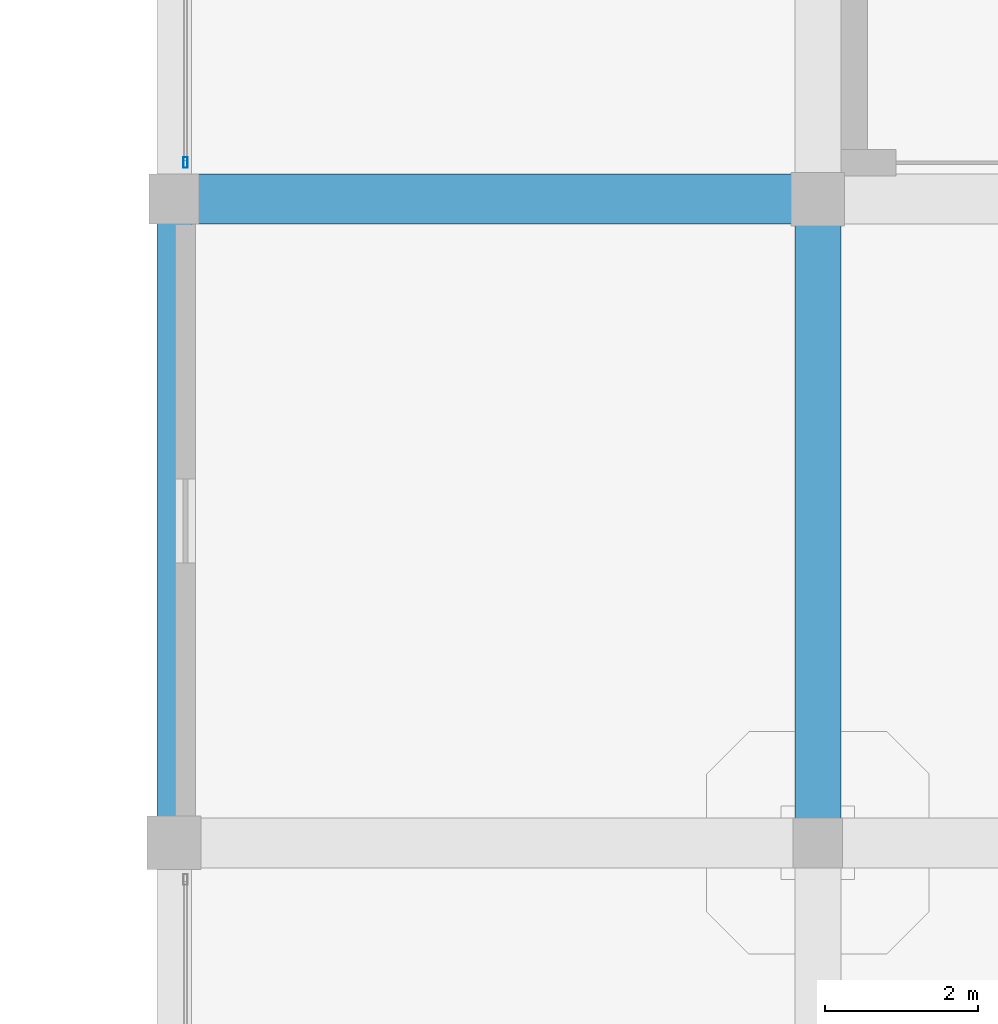
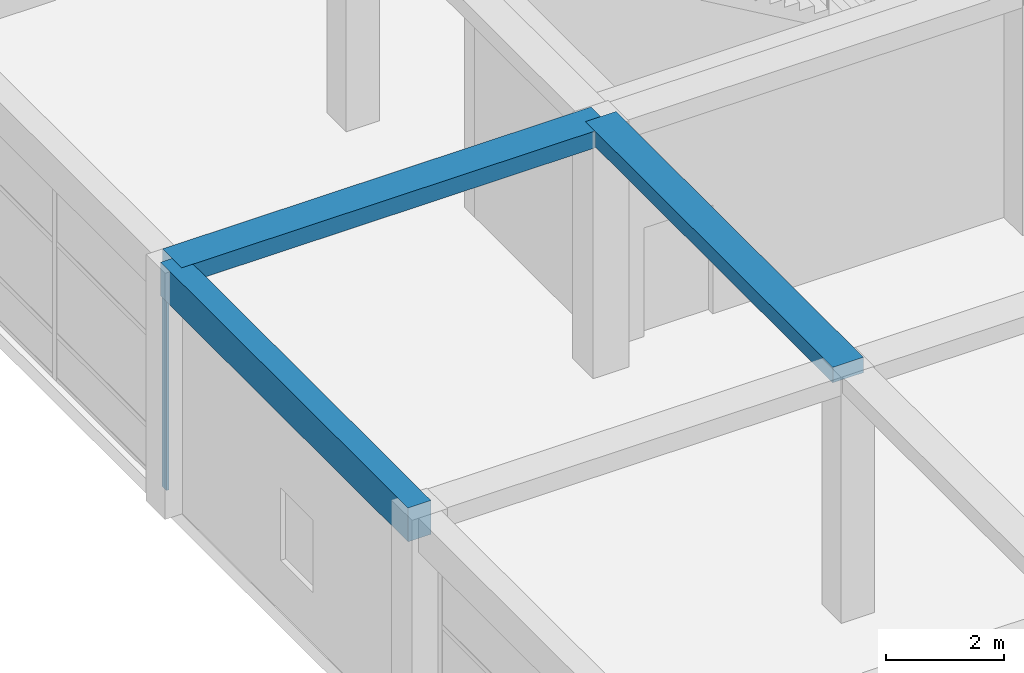
# One storey, part 21 of 95: 3 beams, 1 member, 1 element without a shape of its own.
"""IFC4 building model written with IfcOpenShell, lengths in metres."""

import ifcopenshell
import ifcopenshell.guid

model = None  # the IFC model being written
_history = None  # IfcOwnerHistory: only IFC2X3 demands one
_inside = {}  # id of a spatial element -> (the spatial element, [elements in it])
_under = {}  # id of a project, library or spatial element -> (it, [spatial elements below it])
_declared = {}  # id of a project -> (the project, [libraries it declares])
_typed = {}  # id of a type object -> (the type object, [elements of that type])
_made_of = {}  # id of a material, layer set ... -> (it, [elements and type objects made of it])


def new_model(schema):
    """Start an empty IFC model of exactly this schema.

    Asked for "IFC4X3", IfcOpenShell would pick the latest addendum, in which some entities
    have other attributes; the version numbers below select the first issue.
    IFC2X3 requires an IfcOwnerHistory on every rooted entity: one is made here for all.
    """
    global model, _history
    if schema == "IFC4X3":
        model = ifcopenshell.file(schema_version=(4, 3, 0, 0))
    else:
        model = ifcopenshell.file(schema=schema)
    _inside.clear()
    _under.clear()
    _declared.clear()
    _typed.clear()
    _made_of.clear()
    _history = None
    if model.schema == "IFC2X3":
        org = make("IfcOrganization", Name="unknown")
        user = make(
            "IfcPersonAndOrganization",
            ThePerson=make("IfcPerson", FamilyName="unknown"),
            TheOrganization=org,
        )
        app = make(
            "IfcApplication",
            ApplicationDeveloper=org,
            Version="unknown",
            ApplicationFullName="unknown",
            ApplicationIdentifier="unknown",
        )
        _history = make(
            "IfcOwnerHistory",
            OwningUser=user,
            OwningApplication=app,
            ChangeAction="ADDED",
            CreationDate=0,
        )
    return model


def make(cls, **values):
    """One entity of the class cls with the attributes given. An attribute that is None is left unset."""
    return model.create_entity(
        cls, **{name: value for name, value in values.items() if value is not None}
    )


def rooted(cls, **values):
    """An entity with a GlobalId (a new one), such as an element, a storey or a relation."""
    return make(cls, GlobalId=ifcopenshell.guid.new(), OwnerHistory=_history, **values)


def si_unit(unit_type, name, prefix=None):
    """IfcSIUnit, for example si_unit("LENGTHUNIT", "METRE", prefix="MILLI")."""
    return make("IfcSIUnit", UnitType=unit_type, Prefix=prefix, Name=name)


def assignment(units):
    """IfcUnitAssignment: the units of a project."""
    return None if units is None else make("IfcUnitAssignment", Units=units)


def point(xyz):
    """IfcCartesianPoint."""
    return None if xyz is None else make("IfcCartesianPoint", Coordinates=xyz)


def direction(xyz):
    """IfcDirection."""
    return None if xyz is None else make("IfcDirection", DirectionRatios=xyz)


def frame(location, z_axis=None, x_axis=None):
    """IfcAxis2Placement3D, a coordinate frame: its origin and axes. An axis left out is left unset."""
    return make(
        "IfcAxis2Placement3D",
        Location=point(location),
        Axis=direction(z_axis),
        RefDirection=direction(x_axis),
    )


def frame_2d(location, x_axis=None):
    """IfcAxis2Placement2D, a coordinate frame in the plane: its origin and x axis."""
    return make(
        "IfcAxis2Placement2D", Location=point(location), RefDirection=direction(x_axis)
    )


def origin():
    """The frame at (0, 0, 0) with its axes left unset."""
    return frame((0.0, 0.0, 0.0))


def origin_2d():
    """The frame at (0, 0) in the plane with its x axis left unset."""
    return frame_2d((0.0, 0.0))


def place(relative_to, where):
    """IfcLocalPlacement: puts the frame where relative to a parent placement (None: the world)."""
    return make(
        "IfcLocalPlacement", PlacementRelTo=relative_to, RelativePlacement=where
    )


def context(
    kind, dimensions, precision=None, world=None, true_north=None, identifier=None
):
    """IfcGeometricRepresentationContext, for example the 3D "Model" context."""
    return make(
        "IfcGeometricRepresentationContext",
        ContextIdentifier=identifier,
        ContextType=kind,
        CoordinateSpaceDimension=dimensions,
        Precision=precision,
        WorldCoordinateSystem=world,
        TrueNorth=true_north,
    )


def subcontext(parent, identifier, kind, view, scale=None):
    """IfcGeometricRepresentationSubContext, for example "Body" below "Model"."""
    return make(
        "IfcGeometricRepresentationSubContext",
        ContextIdentifier=identifier,
        ContextType=kind,
        ParentContext=parent,
        TargetScale=scale,
        TargetView=view,
    )


def project(units=None, contexts=None):
    """IfcProject with its units and contexts."""
    return rooted(
        "IfcProject",
        Name="project",
        RepresentationContexts=contexts,
        UnitsInContext=assignment(units),
    )


def spatial(cls, under=None, at=None, **own):
    """A site, building, storey or space (cls), placed at a placement, below another one or the project."""
    s = rooted(cls, ObjectPlacement=at, **own)
    if under is not None:
        _under.setdefault(under.id(), (under, []))[1].append(s)
    return s


def profile(cls, at=None, kind="AREA", **sizes):
    """A parametric profile (cls). Its sizes go by their IFC names, for example OverallWidth=200.0."""
    return make(cls, ProfileType=kind, Position=at, **sizes)


def rectangle(**sizes):
    """IfcRectangleProfileDef."""
    return profile("IfcRectangleProfileDef", **sizes)


def hollow_rectangle(**sizes):
    """IfcRectangleHollowProfileDef."""
    return profile("IfcRectangleHollowProfileDef", **sizes)


def extrude(swept, where, along, depth):
    """IfcExtrudedAreaSolid: the profile swept, set in the frame where, extruded along a direction by depth."""
    return make(
        "IfcExtrudedAreaSolid",
        SweptArea=swept,
        Position=where,
        ExtrudedDirection=direction(along),
        Depth=depth,
    )


def shape(context_of_items, identifier, shape_type, items):
    """IfcShapeRepresentation: the items that make up one representation, for example the "Body"."""
    return make(
        "IfcShapeRepresentation",
        ContextOfItems=context_of_items,
        RepresentationIdentifier=identifier,
        RepresentationType=shape_type,
        Items=items,
    )


def material(Name=None, Category=None):
    """IfcMaterial."""
    return make("IfcMaterial", Name=Name, Category=Category)


def material_profile(
    of_material, cross_section, Name=None, Category=None, Priority=None
):
    """IfcMaterialProfile: a cross section and its material."""
    return make(
        "IfcMaterialProfile",
        Name=Name,
        Material=of_material,
        Profile=cross_section,
        Priority=Priority,
        Category=Category,
    )


def profile_set(profiles, Name=None, composite=None):
    """IfcMaterialProfileSet."""
    return make(
        "IfcMaterialProfileSet",
        Name=Name,
        MaterialProfiles=profiles,
        CompositeProfile=composite,
    )


def made_of(thing, what):
    """Note that an element or type object is made of a material, layer set ...; save() writes the relation."""
    if what is not None:
        _made_of.setdefault(what.id(), (what, []))[1].append(thing)
    return thing


def type_object(cls, material=None, **own):
    """A type object (cls), such as IfcWallType, which elements share."""
    return made_of(rooted(cls, **own), material)


def element(
    cls,
    number,
    at=None,
    inside=None,
    cuts=None,
    type_object=None,
    material=None,
    context=None,
    identifier="Body",
    shape_type=None,
    held_by="IfcProductDefinitionShape",
    body=None,
    shapes=None,
    **own,
):
    """One element of the class cls, such as IfcWall. Its Tag is "e" and its number.

    at: its placement. inside: the storey or other place that contains it. cuts: it is an
    opening in that element (IfcRelVoidsElement). A single representation is given by context,
    identifier, shape_type and body (its items); several are given by shapes. held_by: the class
    of the entity that holds the representations. save() writes the other relations.
    """
    e = rooted(cls, Tag="e%d" % number, ObjectPlacement=at, **own)
    if body is not None:
        shapes = [shape(context, identifier, shape_type, body)]
    if shapes is not None:
        e.Representation = make(held_by, Representations=shapes)
    if inside is not None:
        _inside.setdefault(inside.id(), (inside, []))[1].append(e)
    if cuts is not None:
        rooted(
            "IfcRelVoidsElement", RelatingBuildingElement=cuts, RelatedOpeningElement=e
        )
    if type_object is not None:
        _typed.setdefault(type_object.id(), (type_object, []))[1].append(e)
    return made_of(e, material)


def aggregate(whole, parts):
    """IfcRelAggregates: a whole, such as a stair, and the parts it consists of."""
    return rooted("IfcRelAggregates", RelatingObject=whole, RelatedObjects=parts)


def save(model, path):
    """Write the relations noted so far, then the file.

    IfcRelAggregates (storeys below a building ...), IfcRelContainedInSpatialStructure (elements
    in a storey), IfcRelDefinesByType, IfcRelAssociatesMaterial and IfcRelDeclares: one each for
    every whole, place, type object, material and project.
    """
    for whole, parts in _under.values():
        aggregate(whole, parts)
    for where, things in _inside.values():
        rooted(
            "IfcRelContainedInSpatialStructure",
            RelatedElements=things,
            RelatingStructure=where,
        )
    for kind, things in _typed.values():
        rooted("IfcRelDefinesByType", RelatedObjects=things, RelatingType=kind)
    for what, things in _made_of.values():
        rooted("IfcRelAssociatesMaterial", RelatedObjects=things, RelatingMaterial=what)
    for by, libraries in _declared.values():
        rooted("IfcRelDeclares", RelatingContext=by, RelatedDefinitions=libraries)
    model.write(path)


model = new_model("IFC4")

# Units and contexts
model_context = context("Model", 3, precision=1e-05, world=origin(), true_north=direction((0.0, 1.0)))
body_context = subcontext(model_context, "Body", "Model", "MODEL_VIEW")
ifc_project = project(units=[si_unit("LENGTHUNIT", "METRE"), si_unit("AREAUNIT", "SQUARE_METRE"), si_unit("VOLUMEUNIT", "CUBIC_METRE"), si_unit("PLANEANGLEUNIT", "RADIAN"), si_unit("MASSUNIT", "GRAM", prefix="KILO")], contexts=[model_context])

# Site, building, storey
site_placement = place(None, origin())
site = spatial("IfcSite", under=ifc_project, at=site_placement, CompositionType="ELEMENT")
building_placement = place(site_placement, origin())
building = spatial("IfcBuilding", under=site, at=building_placement, Name="Almacenes y Pasaje Nevantli", CompositionType="ELEMENT")
storey_placement = place(building_placement, frame((0.0, 0.0, 11.39990234375)))
storey = spatial("IfcBuildingStorey", under=building, at=storey_placement, Name="L03", CompositionType="ELEMENT", Elevation=11.39990234375)

# Beams
ifc_material_1 = material(Name="Concrete C35/45", Category="concrete")
ifc_material_profile_1 = material_profile(ifc_material_1, rectangle(XDim=0.449951171875, YDim=0.699951171875, at=origin_2d()), Name="RC-BM-450x700")
ifc_profile_set_1 = profile_set([ifc_material_profile_1], Name="Concrete C35/45")
beam_type_1 = type_object("IfcBeamType", Name="BM-RC-450x700", PredefinedType="SPANDREL", material=ifc_profile_set_1)
beam_1_placement = place(storey_placement, frame((0.0, 50.39990234375, 4.75), z_axis=(0.0, 1.0, 0.0), x_axis=(-1.0, 0.0, 0.0)))
element("IfcBeam", 1, at=beam_1_placement, inside=storey, type_object=beam_type_1, Name="L03 North-South Reinforced Concrete Beam #2483", PredefinedType="SPANDREL", context=body_context, shape_type="SweptSolid", body=[
    extrude(rectangle(XDim=0.449951171875, YDim=0.699951171875, at=origin_2d()), origin(), (0.0, 0.0, 1.0), 8.400146484375),
])
ifc_material_2 = material(Name="Concrete C35/45", Category="concrete")
ifc_material_profile_2 = material_profile(ifc_material_2, rectangle(XDim=0.60009765625, YDim=0.320068359375, at=origin_2d()), Name="RC-BM-600x320")
ifc_profile_set_2 = profile_set([ifc_material_profile_2], Name="Concrete C35/45")
beam_type_2 = type_object("IfcBeamType", Name="BM-RC-600x320", PredefinedType="BEAM", material=ifc_profile_set_2)
beam_2_placement = place(storey_placement, frame((8.39990234375, 50.39990234375, 4.940185546875), z_axis=(0.0, 1.0, 0.0), x_axis=(-1.0, 0.0, 0.0)))
element("IfcBeam", 2, at=beam_2_placement, inside=storey, type_object=beam_type_2, Name="L03 North-South Reinforced Concrete Beam #2494", PredefinedType="BEAM", context=body_context, shape_type="SweptSolid", body=[
    extrude(rectangle(XDim=0.60009765625, YDim=0.320068359375, at=origin_2d()), origin(), (0.0, 0.0, 1.0), 8.400146484375),
])
ifc_material_3 = material(Name="Concrete C35/45", Category="concrete")
ifc_material_profile_3 = material_profile(ifc_material_3, rectangle(XDim=0.64990234375, YDim=0.35009765625, at=origin_2d()), Name="RC-BM-650x350")
ifc_profile_set_3 = profile_set([ifc_material_profile_3], Name="Concrete C35/45")
beam_type_3 = type_object("IfcBeamType", Name="BM-RC-650x350", PredefinedType="BEAM", material=ifc_profile_set_3)
beam_3_placement = place(storey_placement, frame((0.0, 58.800048828125, 4.925048828125), z_axis=(1.0, 0.0, 0.0), x_axis=(0.0, 1.0, 0.0)))
element("IfcBeam", 3, at=beam_3_placement, inside=storey, type_object=beam_type_3, Name="L03 East-West Reinforced Concrete Beam #2347", PredefinedType="BEAM", context=body_context, shape_type="SweptSolid", body=[
    extrude(rectangle(XDim=0.64990234375, YDim=0.35009765625, at=origin_2d()), origin(), (0.0, 0.0, 1.0), 8.39990234375),
])

# Curtain wall, member
ifc_material_4 = material(Name="Thermally Broken Aluminium and Low-E Glass", Category="aluminium")
curtain_wall_type = type_object("IfcCurtainWallType", Name="CW-UNIT-PODIUM", PredefinedType="USERDEFINED", material=ifc_material_4)
curtain_wall_placement = place(storey_placement, origin())
curtain_wall = element("IfcCurtainWall", 4, at=curtain_wall_placement, inside=storey, type_object=curtain_wall_type, Name="L03 West Avenue Unitized Curtain Wall Bay 8", ObjectType="UNITIZED CURTAIN WALL", PredefinedType="USERDEFINED")
ifc_material_5 = material(Name="Thermally Broken Anodized Aluminium", Category="aluminium")
ifc_material_profile_4 = material_profile(ifc_material_5, hollow_rectangle(XDim=0.054931640625, YDim=0.139892578125, WallThickness=0.00341796875, at=origin_2d()), Name="ALU-MUL-55x140")
ifc_profile_set_4 = profile_set([ifc_material_profile_4], Name="Thermally Broken Anodized Aluminium")
member_type = type_object("IfcMemberType", Name="CW-MUL-160", PredefinedType="MULLION", material=ifc_profile_set_4)
member_placement = place(storey_placement, frame((0.14990234375, 59.277587890625, 0.0), z_axis=(0.0, 0.0, 1.0), x_axis=(-1.0, 0.0, 0.0)))
member = element("IfcMember", 5, at=member_placement, type_object=member_type, Name="CW-L03-050 mullion 1", PredefinedType="MULLION", context=body_context, shape_type="SweptSolid", body=[
    extrude(hollow_rectangle(XDim=0.054931640625, YDim=0.139892578125, WallThickness=0.00341796875, at=origin_2d()), origin(), (0.0, 0.0, 1.0), 4.380126953125),
])
aggregate(curtain_wall, [member])

save(model, "model.ifc")
